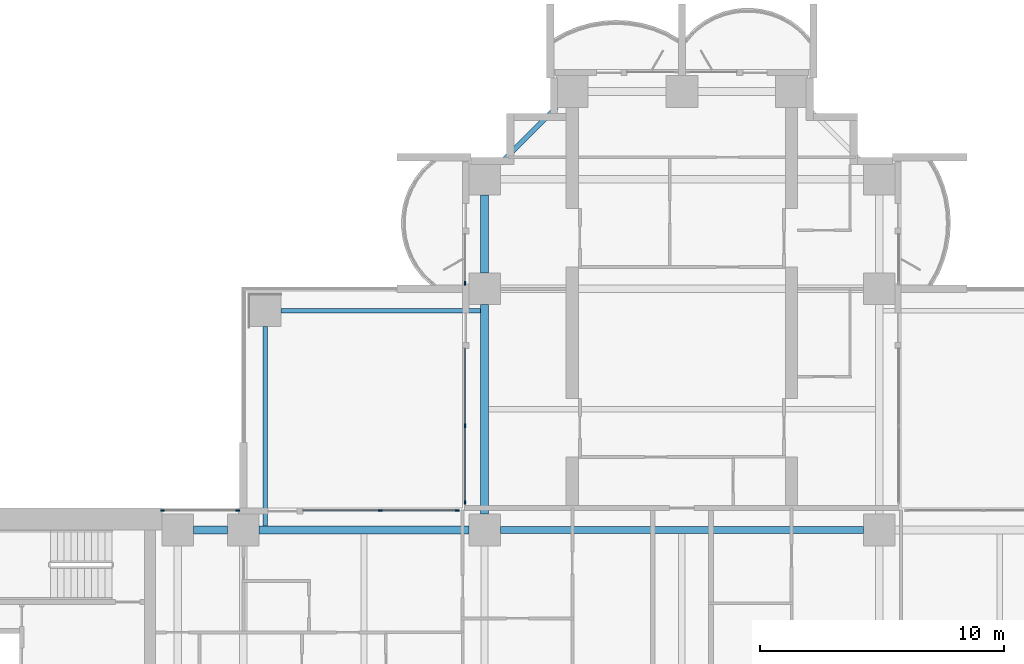
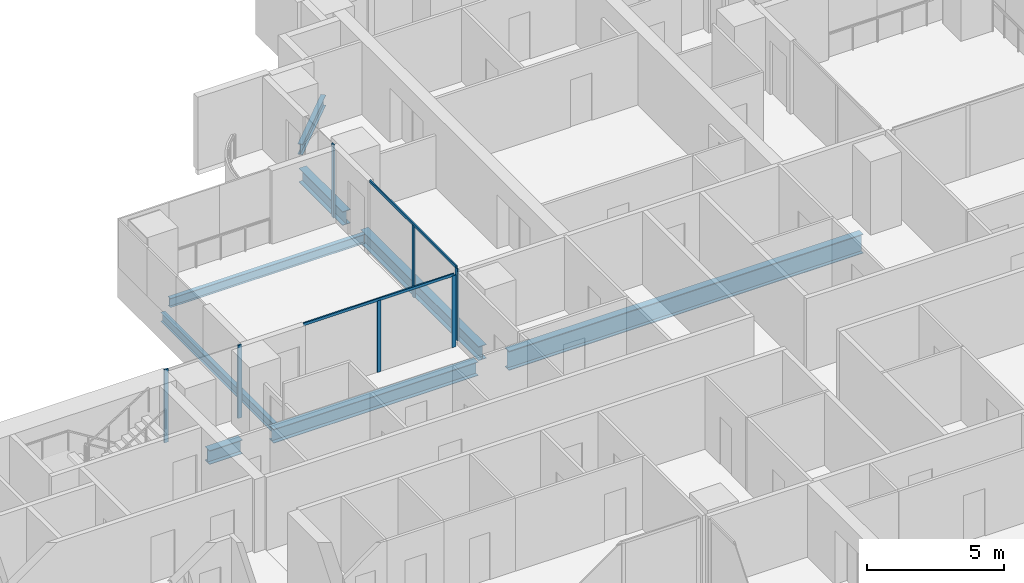
# One storey, part 5 of 21: 9 members, 8 beams, 4 elements without a shape of their own.
"""IFC4 building model written with IfcOpenShell, lengths in metres."""

from ifc_helpers import new_model, si_unit, direction, frame, origin, origin_2d, place, context, subcontext, project, spatial, rectangle, i_section, extrude, material, material_profile, profile_set, type_object, element, aggregate, save


model = new_model("IFC4")

# Units and contexts
model_context = context("Model", 3, precision=1e-05, world=origin(), true_north=direction((0.0, 1.0)))
body_context = subcontext(model_context, "Body", "Model", "MODEL_VIEW")
ifc_project = project(units=[si_unit("LENGTHUNIT", "METRE"), si_unit("AREAUNIT", "SQUARE_METRE"), si_unit("VOLUMEUNIT", "CUBIC_METRE"), si_unit("PLANEANGLEUNIT", "RADIAN"), si_unit("MASSUNIT", "GRAM", prefix="KILO")], contexts=[model_context])

# Site, building, storey
site_placement = place(None, origin())
site = spatial("IfcSite", under=ifc_project, at=site_placement, CompositionType="ELEMENT")
building_placement = place(site_placement, origin())
building = spatial("IfcBuilding", under=site, at=building_placement, Name="Perihelion Cross Residences", CompositionType="ELEMENT")
storey_placement = place(building_placement, frame((0.0, 0.0, 40.0)))
storey = spatial("IfcBuildingStorey", under=building, at=storey_placement, Name="L06", CompositionType="ELEMENT", Elevation=40.0)

# Curtain wall, member
ifc_material_1 = material(Name="Bronze anodised aluminium, tinted glazing", Category="aluminium")
curtain_wall_type = type_object("IfcCurtainWallType", Name="CW1", PredefinedType="NOTDEFINED", material=ifc_material_1)
curtain_wall_1_placement = place(storey_placement, origin())
curtain_wall_1 = element("IfcCurtainWall", 1, at=curtain_wall_1_placement, inside=storey, type_object=curtain_wall_type, Name="Curtain wall CW1 L06 north side west bay 1", PredefinedType="NOTDEFINED")
ifc_material_2 = material(Name="Bronze anodised aluminium", Category="aluminium")
ifc_material_profile_1 = material_profile(ifc_material_2, rectangle(XDim=0.06005859375, YDim=0.159912109375, at=origin_2d()), Name="CW1 mullion")
ifc_profile_set_1 = profile_set([ifc_material_profile_1], Name="Bronze anodised aluminium")
member_type_1 = type_object("IfcMemberType", Name="CW1 mullion", PredefinedType="MULLION", material=ifc_profile_set_1)
member_1_placement = place(storey_placement, frame((-8.89990234375, 18.22998046875, 0.0), z_axis=(0.0, 0.0, 1.0), x_axis=(1.0, 0.0, 0.0)))
member_1 = element("IfcMember", 2, at=member_1_placement, type_object=member_type_1, Name="CW1 mullion 2", PredefinedType="MULLION", context=body_context, shape_type="SweptSolid", body=[
    extrude(rectangle(XDim=0.06005859375, YDim=0.159912109375, at=origin_2d()), origin(), (0.0, 0.0, 1.0), 3.25),
])
aggregate(curtain_wall_1, [member_1])

# Curtain wall, members
curtain_wall_2_placement = place(storey_placement, origin())
curtain_wall_2 = element("IfcCurtainWall", 3, at=curtain_wall_2_placement, inside=storey, type_object=curtain_wall_type, Name="Curtain wall CW1 L06 north side west bay 2", PredefinedType="NOTDEFINED")
member_2_placement = place(storey_placement, frame((-8.89990234375, 12.375, 0.0), z_axis=(0.0, 0.0, 1.0), x_axis=(1.0, 0.0, 0.0)))
member_2 = element("IfcMember", 4, at=member_2_placement, type_object=member_type_1, Name="CW1 mullion 2", PredefinedType="MULLION", context=body_context, shape_type="SweptSolid", body=[
    extrude(rectangle(XDim=0.06005859375, YDim=0.159912109375, at=origin_2d()), origin(), (0.0, 0.0, 1.0), 3.18994140625),
])
member_3_placement = place(storey_placement, frame((-8.89990234375, 9.22998046875, 0.0), z_axis=(0.0, 0.0, 1.0), x_axis=(1.0, 0.0, 0.0)))
member_3 = element("IfcMember", 5, at=member_3_placement, type_object=member_type_1, Name="CW1 mullion 3", PredefinedType="MULLION", context=body_context, shape_type="SweptSolid", body=[
    extrude(rectangle(XDim=0.06005859375, YDim=0.159912109375, at=origin_2d()), origin(), (0.0, 0.0, 1.0), 3.18994140625),
])

curtain_wall_3_placement = place(storey_placement, origin())
curtain_wall_3 = element("IfcCurtainWall", 6, at=curtain_wall_3_placement, inside=storey, type_object=curtain_wall_type, Name="Curtain wall CW1 L06 west side north bay 1", PredefinedType="NOTDEFINED")
member_4_placement = place(storey_placement, frame((-9.22998046875, 8.89990234375, 0.0), z_axis=(0.0, 0.0, 1.0), x_axis=(0.0, -1.0, 0.0)))
member_4 = element("IfcMember", 7, at=member_4_placement, type_object=member_type_1, Name="CW1 mullion 1", PredefinedType="MULLION", context=body_context, shape_type="SweptSolid", body=[
    extrude(rectangle(XDim=0.06005859375, YDim=0.159912109375, at=origin_2d()), origin(), (0.0, 0.0, 1.0), 3.18994140625),
])
member_5_placement = place(storey_placement, frame((-12.375, 8.89990234375, 0.0), z_axis=(0.0, 0.0, 1.0), x_axis=(0.0, -1.0, 0.0)))
member_5 = element("IfcMember", 8, at=member_5_placement, type_object=member_type_1, Name="CW1 mullion 2", PredefinedType="MULLION", context=body_context, shape_type="SweptSolid", body=[
    extrude(rectangle(XDim=0.06005859375, YDim=0.159912109375, at=origin_2d()), origin(), (0.0, 0.0, 1.0), 3.18994140625),
])

curtain_wall_4_placement = place(storey_placement, origin())
curtain_wall_4 = element("IfcCurtainWall", 9, at=curtain_wall_4_placement, inside=storey, type_object=curtain_wall_type, Name="Curtain wall CW1 L06 west side north bay 2", PredefinedType="NOTDEFINED")
member_6_placement = place(storey_placement, frame((-18.22998046875, 8.89990234375, 0.0), z_axis=(0.0, 0.0, 1.0), x_axis=(0.0, -1.0, 0.0)))
member_6 = element("IfcMember", 10, at=member_6_placement, type_object=member_type_1, Name="CW1 mullion 1", PredefinedType="MULLION", context=body_context, shape_type="SweptSolid", body=[
    extrude(rectangle(XDim=0.06005859375, YDim=0.159912109375, at=origin_2d()), origin(), (0.0, 0.0, 1.0), 3.25),
])
member_7_placement = place(storey_placement, frame((-21.320068359375, 8.89990234375, 0.0), z_axis=(0.0, 0.0, 1.0), x_axis=(0.0, -1.0, 0.0)))
member_7 = element("IfcMember", 11, at=member_7_placement, type_object=member_type_1, Name="CW1 mullion 2", PredefinedType="MULLION", context=body_context, shape_type="SweptSolid", body=[
    extrude(rectangle(XDim=0.06005859375, YDim=0.159912109375, at=origin_2d()), origin(), (0.0, 0.0, 1.0), 3.25),
])
aggregate(curtain_wall_4, [member_6, member_7])

# Member
ifc_material_3 = material(Name="Bronze anodised aluminium", Category="aluminium")
ifc_material_profile_2 = material_profile(ifc_material_3, rectangle(XDim=0.06005859375, YDim=0.1201171875, at=origin_2d()), Name="CW1 transom")
ifc_profile_set_2 = profile_set([ifc_material_profile_2], Name="Bronze anodised aluminium")
member_type_2 = type_object("IfcMemberType", Name="CW1 transom", PredefinedType="USERDEFINED", material=ifc_profile_set_2)
member_8_placement = place(storey_placement, frame((-8.89990234375, 15.550048828125, 3.219970703125), z_axis=(0.0, -1.0, 0.0), x_axis=(1.0, 0.0, 0.0)))
member_8 = element("IfcMember", 12, at=member_8_placement, type_object=member_type_2, Name="CW1 head transom", ObjectType="TRANSOM", PredefinedType="USERDEFINED", context=body_context, shape_type="SweptSolid", body=[
    extrude(rectangle(XDim=0.06005859375, YDim=0.1201171875, at=origin_2d()), origin(), (0.0, 0.0, 1.0), 6.320068359375),
])

aggregate(curtain_wall_2, [member_2, member_3, member_8])

member_9_placement = place(storey_placement, frame((-9.22998046875, 8.89990234375, 3.219970703125), z_axis=(-1.0, 0.0, 0.0), x_axis=(0.0, -1.0, 0.0)))
member_9 = element("IfcMember", 13, at=member_9_placement, type_object=member_type_2, Name="CW1 head transom", ObjectType="TRANSOM", PredefinedType="USERDEFINED", context=body_context, shape_type="SweptSolid", body=[
    extrude(rectangle(XDim=0.06005859375, YDim=0.1201171875, at=origin_2d()), origin(), (0.0, 0.0, 1.0), 6.320068359375),
])

aggregate(curtain_wall_3, [member_4, member_5, member_9])

# Beams
ifc_material_4 = material(Name="Steel S355", Category="steel")
ifc_material_profile_3 = material_profile(ifc_material_4, i_section(OverallWidth=0.177978515625, OverallDepth=0.406005859375, WebThickness=0.0078125, FlangeThickness=0.0126953125, at=origin_2d()), Name="W410x60")
ifc_profile_set_3 = profile_set([ifc_material_profile_3], Name="Steel S355")
beam_type_1 = type_object("IfcBeamType", Name="Core edge beam W410x60", PredefinedType="BEAM", material=ifc_profile_set_3)
for number, where, z_axis, x_axis, name in (
    (14, (-17.10009765625, 8.262451171875, -0.452880859375), (0.0, 1.0, 0.0), (-1.0, 0.0, 0.0), "Core edge beam TB2 L06 corner no. 3"),
    (15, (-8.262451171875, 17.10009765625, -0.452880859375), (-1.0, 0.0, 0.0), (0.0, -1.0, 0.0), "Core edge beam TB2 L06 corner no. 4"),
):
    element("IfcBeam", number, at=place(storey_placement, frame(where, z_axis=z_axis, x_axis=x_axis)), inside=storey, type_object=beam_type_1, Name=name, PredefinedType="BEAM", context=body_context, shape_type="SweptSolid", body=[
        extrude(i_section(OverallWidth=0.177978515625, OverallDepth=0.406005859375, WebThickness=0.0078125, FlangeThickness=0.0126953125, at=origin_2d()), origin(), (0.0, 0.0, 1.0), 8.1875),
    ])
ifc_material_5 = material(Name="Steel S355", Category="steel")
ifc_material_profile_4 = material_profile(ifc_material_5, i_section(OverallWidth=0.324951171875, OverallDepth=0.616943359375, WebThickness=0.013916015625, FlangeThickness=0.021484375, at=origin_2d()), Name="W610x174")
ifc_profile_set_4 = profile_set([ifc_material_profile_4], Name="Steel S355")
beam_type_2 = type_object("IfcBeamType", Name="Edge beam W610x174", PredefinedType="SPANDREL", material=ifc_profile_set_4)
beam_1_placement = place(storey_placement, frame((-8.10009765625, 21.85009765625, -0.55859375), z_axis=(0.0, -1.0, 0.0), x_axis=(1.0, 0.0, 0.0)))
element("IfcBeam", 16, at=beam_1_placement, inside=storey, type_object=beam_type_2, Name="Edge beam SB2 L06 no. 8", PredefinedType="SPANDREL", context=body_context, shape_type="SweptSolid", body=[
    extrude(i_section(OverallWidth=0.324951171875, OverallDepth=0.616943359375, WebThickness=0.013916015625, FlangeThickness=0.021484375, at=origin_2d()), origin(), (0.0, 0.0, 1.0), 3.2001953125),
])
for number, where, z_axis, x_axis, name in (
    (17, (-8.10009765625, 17.35009765625, -0.55859375), (0.0, -1.0, 0.0), (1.0, 0.0, 0.0), "Edge beam SB2 L06 no. 7"),
    (18, (-8.75, 8.10009765625, -0.55859375), (-1.0, 0.0, 0.0), (0.0, -1.0, 0.0), "Edge beam SB2 L06 no. 9"),
):
    element("IfcBeam", number, at=place(storey_placement, frame(where, z_axis=z_axis, x_axis=x_axis)), inside=storey, type_object=beam_type_2, Name=name, PredefinedType="SPANDREL", context=body_context, shape_type="SweptSolid", body=[
        extrude(i_section(OverallWidth=0.324951171875, OverallDepth=0.616943359375, WebThickness=0.013916015625, FlangeThickness=0.021484375, at=origin_2d()), origin(), (0.0, 0.0, 1.0), 8.60009765625),
    ])
beam_2_placement = place(storey_placement, frame((-18.64990234375, 8.10009765625, -0.55859375), z_axis=(-1.0, 0.0, 0.0), x_axis=(0.0, -1.0, 0.0)))
element("IfcBeam", 19, at=beam_2_placement, inside=storey, type_object=beam_type_2, Name="Edge beam SB2 L06 no. 2", PredefinedType="SPANDREL", context=body_context, shape_type="SweptSolid", body=[
    extrude(i_section(OverallWidth=0.324951171875, OverallDepth=0.616943359375, WebThickness=0.013916015625, FlangeThickness=0.021484375, at=origin_2d()), origin(), (0.0, 0.0, 1.0), 1.400146484375),
])
ifc_material_6 = material(Name="Steel S355", Category="steel")
ifc_material_profile_5 = material_profile(ifc_material_6, i_section(OverallWidth=0.2919921875, OverallDepth=0.85888671875, WebThickness=0.01708984375, FlangeThickness=0.031005859375, at=origin_2d()), Name="W840x251")
ifc_profile_set_5 = profile_set([ifc_material_profile_5], Name="Steel S355")
beam_type_3 = type_object("IfcBeamType", Name="Hub ring girder W840x251", PredefinedType="BEAM", material=ifc_profile_set_5)
beam_3_placement = place(storey_placement, frame((7.449951171875, 8.10009765625, -0.679443359375), z_axis=(-1.0, 0.0, 0.0), x_axis=(0.0, -1.0, 0.0)))
element("IfcBeam", 20, at=beam_3_placement, inside=storey, type_object=beam_type_3, Name="Hub ring girder RG2 L06 no. 4", PredefinedType="BEAM", context=body_context, shape_type="SweptSolid", body=[
    extrude(i_section(OverallWidth=0.2919921875, OverallDepth=0.85888671875, WebThickness=0.01708984375, FlangeThickness=0.031005859375, at=origin_2d()), origin(), (0.0, 0.0, 1.0), 14.89990234375),
])
ifc_material_7 = material(Name="Steel S355", Category="steel")
ifc_material_profile_6 = material_profile(ifc_material_7, i_section(OverallWidth=0.194091796875, OverallDepth=0.469970703125, WebThickness=0.0126953125, FlangeThickness=0.0205078125, at=origin_2d()), Name="W460x106")
ifc_profile_set_6 = profile_set([ifc_material_profile_6], Name="Steel S355")
beam_type_4 = type_object("IfcBeamType", Name="Serration edge beam W460x106", PredefinedType="BEAM", material=ifc_profile_set_6)
beam_4_placement = place(storey_placement, frame((-5.14990234375, 25.449951171875, -0.485107421875), z_axis=(-0.707106781187, -0.707106781187, 0.0), x_axis=(0.707106781187, -0.707106781187, 0.0)))
element("IfcBeam", 21, at=beam_4_placement, inside=storey, type_object=beam_type_4, Name="Serration edge beam EB2 L06 no. 1", PredefinedType="BEAM", context=body_context, shape_type="SweptSolid", body=[
    extrude(i_section(OverallWidth=0.194091796875, OverallDepth=0.469970703125, WebThickness=0.0126953125, FlangeThickness=0.0205078125, at=origin_2d()), origin(), (0.0, 0.0, 1.0), 3.252685546875),
])

save(model, "model.ifc")
